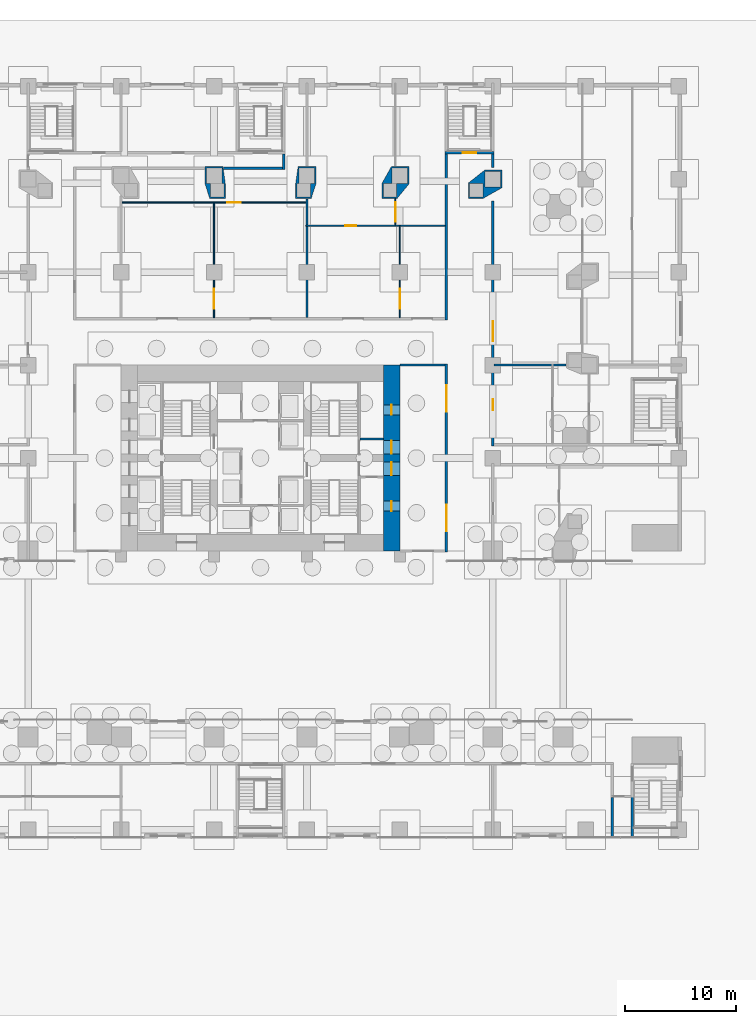
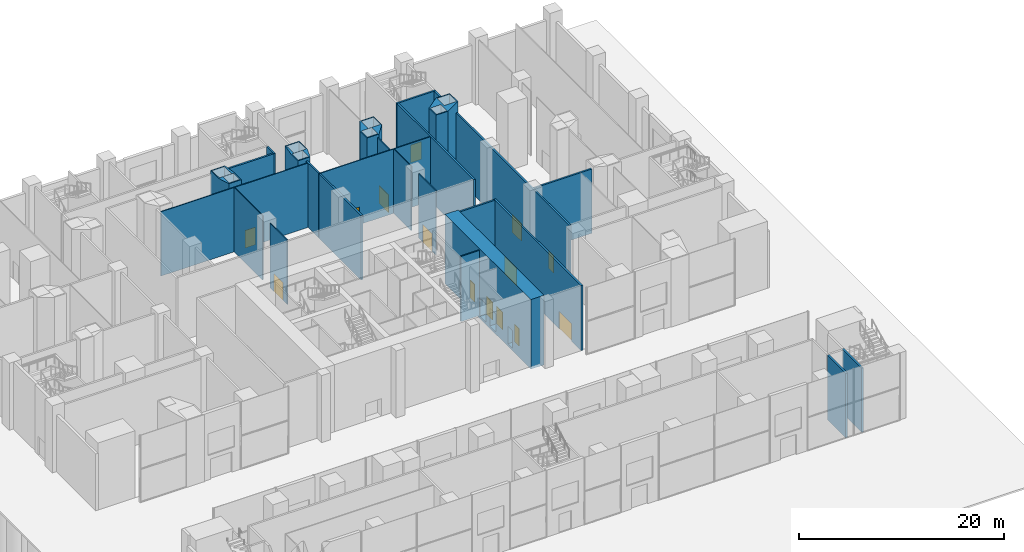
# One storey, part 18 of 31: 25 walls, 14 doors, 14 openings.
"""IFC4 building model written with IfcOpenShell, lengths in metres."""

import ifcopenshell
import ifcopenshell.guid

model = None  # the IFC model being written
_history = None  # IfcOwnerHistory: only IFC2X3 demands one
_inside = {}  # id of a spatial element -> (the spatial element, [elements in it])
_under = {}  # id of a project, library or spatial element -> (it, [spatial elements below it])
_declared = {}  # id of a project -> (the project, [libraries it declares])
_typed = {}  # id of a type object -> (the type object, [elements of that type])
_made_of = {}  # id of a material, layer set ... -> (it, [elements and type objects made of it])


def new_model(schema):
    """Start an empty IFC model of exactly this schema.

    Asked for "IFC4X3", IfcOpenShell would pick the latest addendum, in which some entities
    have other attributes; the version numbers below select the first issue.
    IFC2X3 requires an IfcOwnerHistory on every rooted entity: one is made here for all.
    """
    global model, _history
    if schema == "IFC4X3":
        model = ifcopenshell.file(schema_version=(4, 3, 0, 0))
    else:
        model = ifcopenshell.file(schema=schema)
    _inside.clear()
    _under.clear()
    _declared.clear()
    _typed.clear()
    _made_of.clear()
    _history = None
    if model.schema == "IFC2X3":
        org = make("IfcOrganization", Name="unknown")
        user = make(
            "IfcPersonAndOrganization",
            ThePerson=make("IfcPerson", FamilyName="unknown"),
            TheOrganization=org,
        )
        app = make(
            "IfcApplication",
            ApplicationDeveloper=org,
            Version="unknown",
            ApplicationFullName="unknown",
            ApplicationIdentifier="unknown",
        )
        _history = make(
            "IfcOwnerHistory",
            OwningUser=user,
            OwningApplication=app,
            ChangeAction="ADDED",
            CreationDate=0,
        )
    return model


def make(cls, **values):
    """One entity of the class cls with the attributes given. An attribute that is None is left unset."""
    return model.create_entity(
        cls, **{name: value for name, value in values.items() if value is not None}
    )


def rooted(cls, **values):
    """An entity with a GlobalId (a new one), such as an element, a storey or a relation."""
    return make(cls, GlobalId=ifcopenshell.guid.new(), OwnerHistory=_history, **values)


def si_unit(unit_type, name, prefix=None):
    """IfcSIUnit, for example si_unit("LENGTHUNIT", "METRE", prefix="MILLI")."""
    return make("IfcSIUnit", UnitType=unit_type, Prefix=prefix, Name=name)


def assignment(units):
    """IfcUnitAssignment: the units of a project."""
    return None if units is None else make("IfcUnitAssignment", Units=units)


def point(xyz):
    """IfcCartesianPoint."""
    return None if xyz is None else make("IfcCartesianPoint", Coordinates=xyz)


def direction(xyz):
    """IfcDirection."""
    return None if xyz is None else make("IfcDirection", DirectionRatios=xyz)


def frame(location, z_axis=None, x_axis=None):
    """IfcAxis2Placement3D, a coordinate frame: its origin and axes. An axis left out is left unset."""
    return make(
        "IfcAxis2Placement3D",
        Location=point(location),
        Axis=direction(z_axis),
        RefDirection=direction(x_axis),
    )


def frame_2d(location, x_axis=None):
    """IfcAxis2Placement2D, a coordinate frame in the plane: its origin and x axis."""
    return make(
        "IfcAxis2Placement2D", Location=point(location), RefDirection=direction(x_axis)
    )


def origin():
    """The frame at (0, 0, 0) with its axes left unset."""
    return frame((0.0, 0.0, 0.0))


def place(relative_to, where):
    """IfcLocalPlacement: puts the frame where relative to a parent placement (None: the world)."""
    return make(
        "IfcLocalPlacement", PlacementRelTo=relative_to, RelativePlacement=where
    )


def context(
    kind, dimensions, precision=None, world=None, true_north=None, identifier=None
):
    """IfcGeometricRepresentationContext, for example the 3D "Model" context."""
    return make(
        "IfcGeometricRepresentationContext",
        ContextIdentifier=identifier,
        ContextType=kind,
        CoordinateSpaceDimension=dimensions,
        Precision=precision,
        WorldCoordinateSystem=world,
        TrueNorth=true_north,
    )


def subcontext(parent, identifier, kind, view, scale=None):
    """IfcGeometricRepresentationSubContext, for example "Body" below "Model"."""
    return make(
        "IfcGeometricRepresentationSubContext",
        ContextIdentifier=identifier,
        ContextType=kind,
        ParentContext=parent,
        TargetScale=scale,
        TargetView=view,
    )


def project(units=None, contexts=None):
    """IfcProject with its units and contexts."""
    return rooted(
        "IfcProject",
        Name="project",
        RepresentationContexts=contexts,
        UnitsInContext=assignment(units),
    )


def spatial(cls, under=None, at=None, **own):
    """A site, building, storey or space (cls), placed at a placement, below another one or the project."""
    s = rooted(cls, ObjectPlacement=at, **own)
    if under is not None:
        _under.setdefault(under.id(), (under, []))[1].append(s)
    return s


def polyline(points):
    """IfcPolyline through the points."""
    return make("IfcPolyline", Points=[point(p) for p in points])


def profile(cls, at=None, kind="AREA", **sizes):
    """A parametric profile (cls). Its sizes go by their IFC names, for example OverallWidth=200.0."""
    return make(cls, ProfileType=kind, Position=at, **sizes)


def rectangle(**sizes):
    """IfcRectangleProfileDef."""
    return profile("IfcRectangleProfileDef", **sizes)


def outline(outer, holes=None, kind="AREA"):
    """IfcArbitraryClosedProfileDef: a profile drawn as a closed curve; with holes, ...WithVoids."""
    if holes is None:
        return make("IfcArbitraryClosedProfileDef", ProfileType=kind, OuterCurve=outer)
    return make(
        "IfcArbitraryProfileDefWithVoids",
        ProfileType=kind,
        OuterCurve=outer,
        InnerCurves=holes,
    )


def extrude(swept, where, along, depth):
    """IfcExtrudedAreaSolid: the profile swept, set in the frame where, extruded along a direction by depth."""
    return make(
        "IfcExtrudedAreaSolid",
        SweptArea=swept,
        Position=where,
        ExtrudedDirection=direction(along),
        Depth=depth,
    )


def shape(context_of_items, identifier, shape_type, items):
    """IfcShapeRepresentation: the items that make up one representation, for example the "Body"."""
    return make(
        "IfcShapeRepresentation",
        ContextOfItems=context_of_items,
        RepresentationIdentifier=identifier,
        RepresentationType=shape_type,
        Items=items,
    )


def material(Name=None, Category=None):
    """IfcMaterial."""
    return make("IfcMaterial", Name=Name, Category=Category)


def layer(
    of_material, thickness, ventilated=None, Name=None, Category=None, Priority=None
):
    """IfcMaterialLayer: one layer of a wall or slab, of a material (None: an air gap)."""
    return make(
        "IfcMaterialLayer",
        Material=of_material,
        LayerThickness=thickness,
        IsVentilated=ventilated,
        Name=Name,
        Category=Category,
        Priority=Priority,
    )


def layer_set(layers, Name=None):
    """IfcMaterialLayerSet."""
    return make("IfcMaterialLayerSet", MaterialLayers=layers, LayerSetName=Name)


def made_of(thing, what):
    """Note that an element or type object is made of a material, layer set ...; save() writes the relation."""
    if what is not None:
        _made_of.setdefault(what.id(), (what, []))[1].append(thing)
    return thing


def type_object(cls, material=None, **own):
    """A type object (cls), such as IfcWallType, which elements share."""
    return made_of(rooted(cls, **own), material)


def element(
    cls,
    number,
    at=None,
    inside=None,
    cuts=None,
    type_object=None,
    material=None,
    context=None,
    identifier="Body",
    shape_type=None,
    held_by="IfcProductDefinitionShape",
    body=None,
    shapes=None,
    **own,
):
    """One element of the class cls, such as IfcWall. Its Tag is "e" and its number.

    at: its placement. inside: the storey or other place that contains it. cuts: it is an
    opening in that element (IfcRelVoidsElement). A single representation is given by context,
    identifier, shape_type and body (its items); several are given by shapes. held_by: the class
    of the entity that holds the representations. save() writes the other relations.
    """
    e = rooted(cls, Tag="e%d" % number, ObjectPlacement=at, **own)
    if body is not None:
        shapes = [shape(context, identifier, shape_type, body)]
    if shapes is not None:
        e.Representation = make(held_by, Representations=shapes)
    if inside is not None:
        _inside.setdefault(inside.id(), (inside, []))[1].append(e)
    if cuts is not None:
        rooted(
            "IfcRelVoidsElement", RelatingBuildingElement=cuts, RelatedOpeningElement=e
        )
    if type_object is not None:
        _typed.setdefault(type_object.id(), (type_object, []))[1].append(e)
    return made_of(e, material)


def fill(opening, filler):
    """IfcRelFillsElement: the door or window that sits in an opening."""
    return rooted(
        "IfcRelFillsElement",
        RelatingOpeningElement=opening,
        RelatedBuildingElement=filler,
    )


def aggregate(whole, parts):
    """IfcRelAggregates: a whole, such as a stair, and the parts it consists of."""
    return rooted("IfcRelAggregates", RelatingObject=whole, RelatedObjects=parts)


def save(model, path):
    """Write the relations noted so far, then the file.

    IfcRelAggregates (storeys below a building ...), IfcRelContainedInSpatialStructure (elements
    in a storey), IfcRelDefinesByType, IfcRelAssociatesMaterial and IfcRelDeclares: one each for
    every whole, place, type object, material and project.
    """
    for whole, parts in _under.values():
        aggregate(whole, parts)
    for where, things in _inside.values():
        rooted(
            "IfcRelContainedInSpatialStructure",
            RelatedElements=things,
            RelatingStructure=where,
        )
    for kind, things in _typed.values():
        rooted("IfcRelDefinesByType", RelatedObjects=things, RelatingType=kind)
    for what, things in _made_of.values():
        rooted("IfcRelAssociatesMaterial", RelatedObjects=things, RelatingMaterial=what)
    for by, libraries in _declared.values():
        rooted("IfcRelDeclares", RelatingContext=by, RelatedDefinitions=libraries)
    model.write(path)


model = new_model("IFC4")

# Units and contexts
model_context = context("Model", 3, precision=1e-05, world=origin(), true_north=direction((0.0, 1.0)))
body_context = subcontext(model_context, "Body", "Model", "MODEL_VIEW")
ifc_project = project(units=[si_unit("LENGTHUNIT", "METRE"), si_unit("AREAUNIT", "SQUARE_METRE"), si_unit("VOLUMEUNIT", "CUBIC_METRE"), si_unit("PLANEANGLEUNIT", "RADIAN"), si_unit("MASSUNIT", "GRAM", prefix="KILO")], contexts=[model_context])

# Site, building, storey
site_placement = place(None, origin())
site = spatial("IfcSite", under=ifc_project, at=site_placement, CompositionType="ELEMENT")
building_placement = place(site_placement, origin())
building = spatial("IfcBuilding", under=site, at=building_placement, Name="Marenta Gate Hotel Tower", CompositionType="ELEMENT")
storey_placement = place(building_placement, origin())
storey = spatial("IfcBuildingStorey", under=building, at=storey_placement, Name="L00", CompositionType="ELEMENT", Elevation=0.0)

# Wall, openings, doors
ifc_material_1 = material(Name="Concrete blockwork", Category="masonry")
ifc_layer_1 = layer(ifc_material_1, 0.199951171875)
ifc_layer_set_1 = layer_set([ifc_layer_1], Name="Concrete blockwork")
wall_type_1 = type_object("IfcWallType", Name="Core boundary wall 200 REI 180", PredefinedType="PARTITIONING", material=ifc_layer_set_1)
wall_1_placement = place(storey_placement, frame((16.800048828125, -0.10009765625, 0.0), z_axis=(0.0, 0.0, 1.0), x_axis=(0.0, 1.0, 0.0)))
wall_1 = element("IfcWall", 1, at=wall_1_placement, inside=storey, type_object=wall_type_1, Name="L00-CP-BW-E", PredefinedType="PARTITIONING", context=body_context, shape_type="SweptSolid", body=[
    extrude(rectangle(XDim=17.0, YDim=0.199951171875, at=frame_2d((8.5, 0.0))), origin(), (0.0, 0.0, 1.0), 7.780029296875),
])
opening_1_placement = place(wall_1_placement, frame((1.89990234375, 0.0, 0.0)))
opening_1 = element("IfcOpeningElement", 2, at=opening_1_placement, cuts=wall_1, Name="Opening ED-Ea-A", PredefinedType="OPENING", context=body_context, shape_type="SweptSolid", body=[
    extrude(rectangle(XDim=2.39990234375, YDim=2.10009765625, at=frame_2d((1.199951171875, 1.050048828125))), frame((0.0, 0.10009765625, 0.0), z_axis=(0.0, -1.0, 0.0), x_axis=(1.0, 0.0, 0.0)), (0.0, 0.0, 1.0), 0.199951171875),
])
opening_2_placement = place(wall_1_placement, frame((12.699951171875, 0.0, 0.0)))
opening_2 = element("IfcOpeningElement", 3, at=opening_2_placement, cuts=wall_1, Name="Opening ED-Eb-A", PredefinedType="OPENING", context=body_context, shape_type="SweptSolid", body=[
    extrude(rectangle(XDim=2.39990234375, YDim=2.10009765625, at=frame_2d((1.199951171875, 1.050048828125))), frame((0.0, 0.10009765625, 0.0), z_axis=(0.0, -1.0, 0.0), x_axis=(1.0, 0.0, 0.0)), (0.0, 0.0, 1.0), 0.199951171875),
])
ifc_material_2 = material(Name="Steel", Category="steel")
door_type_1 = type_object("IfcDoorType", Name="Core lobby entrance door 2400x2100 EI 60", OperationType="DOUBLE_DOOR_SINGLE_SWING", PredefinedType="DOOR", material=ifc_material_2)
door_1_placement = place(opening_1_placement, origin())
door_1 = element("IfcDoor", 4, at=door_1_placement, inside=storey, type_object=door_type_1, Name="ED-Ea-A", OperationType="DOUBLE_DOOR_SINGLE_SWING", OverallHeight=2.10009765625, OverallWidth=2.39990234375, PredefinedType="DOOR", context=body_context, shape_type="SweptSolid", body=[
    extrude(rectangle(XDim=2.39990234375, YDim=2.10009765625, at=frame_2d((1.199951171875, 1.050048828125))), frame((0.0, 0.02490234375, 0.0), z_axis=(0.0, -1.0, 0.0), x_axis=(1.0, 0.0, 0.0)), (0.0, 0.0, 1.0), 0.050048828125),
])
fill(opening_1, door_1)
door_2_placement = place(opening_2_placement, origin())
door_2 = element("IfcDoor", 5, at=door_2_placement, inside=storey, type_object=door_type_1, Name="ED-Eb-A", OperationType="DOUBLE_DOOR_SINGLE_SWING", OverallHeight=2.10009765625, OverallWidth=2.39990234375, PredefinedType="DOOR", context=body_context, shape_type="SweptSolid", body=[
    extrude(rectangle(XDim=2.39990234375, YDim=2.10009765625, at=frame_2d((1.199951171875, 1.050048828125))), frame((0.0, 0.02490234375, 0.0), z_axis=(0.0, -1.0, 0.0), x_axis=(1.0, 0.0, 0.0)), (0.0, 0.0, 1.0), 0.050048828125),
])
fill(opening_2, door_2)

# Walls
wall_2_placement = place(storey_placement, frame((12.60009765625, 16.800048828125, 0.0), z_axis=(0.0, 0.0, 1.0), x_axis=(1.0, 0.0, 0.0)))
element("IfcWall", 6, at=wall_2_placement, inside=storey, type_object=wall_type_1, Name="L00-CP-EW-EN", PredefinedType="PARTITIONING", context=body_context, shape_type="SweptSolid", body=[
    extrude(rectangle(XDim=4.099853515625, YDim=0.199951171875, at=frame_2d((2.0498046875, 0.0))), origin(), (0.0, 0.0, 1.0), 7.780029296875),
])
ifc_material_3 = material(Name="Concrete blockwork", Category="masonry")
ifc_layer_2 = layer(ifc_material_3, 0.14990234375)
ifc_layer_set_2 = layer_set([ifc_layer_2], Name="Concrete blockwork")
wall_type_2 = type_object("IfcWallType", Name="Core room partition 150 REI 180", PredefinedType="PARTITIONING", material=ifc_layer_set_2)
wall_3_placement = place(storey_placement, frame((9.0, 10.125, 0.0), z_axis=(0.0, 0.0, 1.0), x_axis=(1.0, 0.0, 0.0)))
element("IfcWall", 7, at=wall_3_placement, inside=storey, type_object=wall_type_2, Name="L00-CP-SW-EN-2", PredefinedType="PARTITIONING", context=body_context, shape_type="SweptSolid", body=[
    extrude(rectangle(XDim=2.10009765625, YDim=0.14990234375, at=frame_2d((1.050048828125, 0.0))), origin(), (0.0, 0.0, 1.0), 7.780029296875),
])

# Wall, openings, doors
ifc_material_4 = material(Name="Concrete C80", Category="concrete")
ifc_layer_3 = layer(ifc_material_4, 1.5)
ifc_layer_set_3 = layer_set([ifc_layer_3], Name="Concrete C80")
wall_type_3 = type_object("IfcWallType", Name="Core wall 1500 C80", PredefinedType="SHEAR", material=ifc_layer_set_3)
wall_4_placement = place(storey_placement, frame((11.85009765625, 0.0, -0.300048828125), z_axis=(0.0, 0.0, 1.0), x_axis=(0.0, 1.0, 0.0)))
wall_4 = element("IfcWall", 8, at=wall_4_placement, inside=storey, type_object=wall_type_3, Name="L00-CORE-E", PredefinedType="SHEAR", context=body_context, shape_type="SweptSolid", body=[
    extrude(rectangle(XDim=16.800048828125, YDim=1.5, at=frame_2d((8.39990234375, 0.0))), origin(), (0.0, 0.0, 1.0), 8.300048828125),
])
opening_3_placement = place(wall_4_placement, frame((3.60009765625, 0.0, 0.300048828125)))
opening_3 = element("IfcOpeningElement", 9, at=opening_3_placement, cuts=wall_4, Name="Opening RD-ES-1", PredefinedType="OPENING", context=body_context, shape_type="SweptSolid", body=[
    extrude(rectangle(XDim=0.89990234375, YDim=2.10009765625, at=frame_2d((0.449951171875, 1.050048828125))), frame((0.0, 0.75, 0.0), z_axis=(0.0, -1.0, 0.0), x_axis=(1.0, 0.0, 0.0)), (0.0, 0.0, 1.0), 1.5),
])
opening_4_placement = place(wall_4_placement, frame((6.824951171875, 0.0, 0.300048828125)))
opening_4 = element("IfcOpeningElement", 10, at=opening_4_placement, cuts=wall_4, Name="Opening PD-ES", PredefinedType="OPENING", context=body_context, shape_type="SweptSolid", body=[
    extrude(rectangle(XDim=1.199951171875, YDim=2.10009765625, at=frame_2d((0.60009765625, 1.050048828125))), frame((0.0, 0.75, 0.0), z_axis=(0.0, -1.0, 0.0), x_axis=(1.0, 0.0, 0.0)), (0.0, 0.0, 1.0), 1.5),
])
opening_5_placement = place(wall_4_placement, frame((12.300048828125, 0.0, 0.300048828125)))
opening_5 = element("IfcOpeningElement", 11, at=opening_5_placement, cuts=wall_4, Name="Opening RD-EN-1", PredefinedType="OPENING", context=body_context, shape_type="SweptSolid", body=[
    extrude(rectangle(XDim=0.89990234375, YDim=2.10009765625, at=frame_2d((0.449951171875, 1.050048828125))), frame((0.0, 0.75, 0.0), z_axis=(0.0, -1.0, 0.0), x_axis=(1.0, 0.0, 0.0)), (0.0, 0.0, 1.0), 1.5),
])
opening_6_placement = place(wall_4_placement, frame((8.77490234375, 0.0, 0.300048828125)))
opening_6 = element("IfcOpeningElement", 12, at=opening_6_placement, cuts=wall_4, Name="Opening PD-EN", PredefinedType="OPENING", context=body_context, shape_type="SweptSolid", body=[
    extrude(rectangle(XDim=1.199951171875, YDim=2.10009765625, at=frame_2d((0.60009765625, 1.050048828125))), frame((0.0, 0.75, 0.0), z_axis=(0.0, -1.0, 0.0), x_axis=(1.0, 0.0, 0.0)), (0.0, 0.0, 1.0), 1.5),
])
ifc_material_5 = material(Name="Steel", Category="steel")
door_type_2 = type_object("IfcDoorType", Name="Core lobby door 1200x2100 FD60", OperationType="SINGLE_SWING_LEFT", PredefinedType="DOOR", material=ifc_material_5)
door_3_placement = place(opening_4_placement, origin())
door_3 = element("IfcDoor", 13, at=door_3_placement, inside=storey, type_object=door_type_2, Name="PD-ES", OperationType="SINGLE_SWING_LEFT", OverallHeight=2.10009765625, OverallWidth=1.199951171875, PredefinedType="DOOR", context=body_context, shape_type="SweptSolid", body=[
    extrude(rectangle(XDim=1.199951171875, YDim=2.10009765625, at=frame_2d((0.60009765625, 1.050048828125))), frame((0.0, 0.02490234375, 0.0), z_axis=(0.0, -1.0, 0.0), x_axis=(1.0, 0.0, 0.0)), (0.0, 0.0, 1.0), 0.050048828125),
])
fill(opening_4, door_3)
door_4_placement = place(opening_6_placement, origin())
door_4 = element("IfcDoor", 14, at=door_4_placement, inside=storey, type_object=door_type_2, Name="PD-EN", OperationType="SINGLE_SWING_LEFT", OverallHeight=2.10009765625, OverallWidth=1.199951171875, PredefinedType="DOOR", context=body_context, shape_type="SweptSolid", body=[
    extrude(rectangle(XDim=1.199951171875, YDim=2.10009765625, at=frame_2d((0.60009765625, 1.050048828125))), frame((0.0, 0.02490234375, 0.0), z_axis=(0.0, -1.0, 0.0), x_axis=(1.0, 0.0, 0.0)), (0.0, 0.0, 1.0), 0.050048828125),
])
fill(opening_6, door_4)
ifc_material_6 = material(Name="Steel", Category="steel")
door_type_3 = type_object("IfcDoorType", Name="Core service room door 900x2100 FD30S", OperationType="SINGLE_SWING_LEFT", PredefinedType="DOOR", material=ifc_material_6)
door_5_placement = place(opening_3_placement, origin())
door_5 = element("IfcDoor", 15, at=door_5_placement, inside=storey, type_object=door_type_3, Name="RD-ES-1", OperationType="SINGLE_SWING_LEFT", OverallHeight=2.10009765625, OverallWidth=0.89990234375, PredefinedType="DOOR", context=body_context, shape_type="SweptSolid", body=[
    extrude(rectangle(XDim=0.89990234375, YDim=2.10009765625, at=frame_2d((0.449951171875, 1.050048828125))), frame((0.0, 0.02490234375, 0.0), z_axis=(0.0, -1.0, 0.0), x_axis=(1.0, 0.0, 0.0)), (0.0, 0.0, 1.0), 0.050048828125),
])
fill(opening_3, door_5)
door_6_placement = place(opening_5_placement, origin())
door_6 = element("IfcDoor", 16, at=door_6_placement, inside=storey, type_object=door_type_3, Name="RD-EN-1", OperationType="SINGLE_SWING_LEFT", OverallHeight=2.10009765625, OverallWidth=0.89990234375, PredefinedType="DOOR", context=body_context, shape_type="SweptSolid", body=[
    extrude(rectangle(XDim=0.89990234375, YDim=2.10009765625, at=frame_2d((0.449951171875, 1.050048828125))), frame((0.0, 0.02490234375, 0.0), z_axis=(0.0, -1.0, 0.0), x_axis=(1.0, 0.0, 0.0)), (0.0, 0.0, 1.0), 0.050048828125),
])
fill(opening_5, door_6)

# Walls
ifc_material_7 = material(Name="Concrete C70", Category="concrete")
ifc_layer_4 = layer(ifc_material_7, 1.60009765625)
ifc_layer_set_4 = layer_set([ifc_layer_4], Name="Concrete C70")
wall_type_4 = type_object("IfcWallType", Name="Pier wall board-marked concrete C70", PredefinedType="SOLIDWALL", material=ifc_layer_set_4)
wall_5_placement = place(storey_placement, origin())
element("IfcWall", 17, at=wall_5_placement, inside=storey, type_object=wall_type_4, Name="L00-PIER-6", PredefinedType="SOLIDWALL", context=body_context, shape_type="SweptSolid", body=[
    extrude(outline(polyline([(-5.02001953125, 34.739990234375), (-3.3955078125, 34.739990234375), (-3.181396484375, 33.208251953125), (-3.181396484375, 31.8798828125), (-4.58837890625, 31.8798828125), (-5.02001953125, 33.200927734375), (-5.02001953125, 34.739990234375)]), holes=[polyline([(-3.301513671875, 32.0), (-3.301513671875, 33.199951171875), (-4.50146484375, 33.199951171875), (-4.50146484375, 32.0), (-3.301513671875, 32.0)]), polyline([(-3.5, 33.219970703125), (-3.5, 34.6201171875), (-4.89990234375, 34.6201171875), (-4.89990234375, 33.219970703125), (-3.5, 33.219970703125)])]), origin(), (0.0, 0.0, 1.0), 8.0),
])
wall_6_placement = place(storey_placement, origin())
element("IfcWall", 18, at=wall_6_placement, inside=storey, type_object=wall_type_4, Name="L00-PIER-7", PredefinedType="SOLIDWALL", context=body_context, shape_type="SweptSolid", body=[
    extrude(outline(polyline([(3.181396484375, 33.208251953125), (3.3955078125, 34.739990234375), (5.02001953125, 34.739990234375), (5.02001953125, 33.200927734375), (4.58837890625, 31.8798828125), (3.181396484375, 31.8798828125), (3.181396484375, 33.208251953125)]), holes=[polyline([(3.5, 33.219970703125), (4.89990234375, 33.219970703125), (4.89990234375, 34.6201171875), (3.5, 34.6201171875), (3.5, 33.219970703125)]), polyline([(3.301513671875, 32.0), (4.50146484375, 32.0), (4.50146484375, 33.199951171875), (3.301513671875, 33.199951171875), (3.301513671875, 32.0)])]), origin(), (0.0, 0.0, 1.0), 8.0),
])
wall_7_placement = place(storey_placement, origin())
element("IfcWall", 19, at=wall_7_placement, inside=storey, type_object=wall_type_4, Name="L00-PIER-8", PredefinedType="SOLIDWALL", context=body_context, shape_type="SweptSolid", body=[
    extrude(outline(polyline([(11.82958984375, 34.739990234375), (13.419921875, 34.739990234375), (13.419921875, 33.17724609375), (12.361083984375, 31.8798828125), (10.984130859375, 31.8798828125), (10.984130859375, 33.2314453125), (11.82958984375, 34.739990234375)]), holes=[polyline([(13.300048828125, 33.219970703125), (13.300048828125, 34.6201171875), (11.89990234375, 34.6201171875), (11.89990234375, 33.219970703125), (13.300048828125, 33.219970703125)]), polyline([(12.30419921875, 32.0), (12.30419921875, 33.199951171875), (11.10400390625, 33.199951171875), (11.10400390625, 32.0), (12.30419921875, 32.0)])]), origin(), (0.0, 0.0, 1.0), 8.0),
])
wall_8_placement = place(storey_placement, origin())
element("IfcWall", 20, at=wall_8_placement, inside=storey, type_object=wall_type_4, Name="L00-PIER-9", PredefinedType="SOLIDWALL", context=body_context, shape_type="SweptSolid", body=[
    extrude(outline(polyline([(20.25830078125, 34.419921875), (21.820068359375, 34.419921875), (21.820068359375, 32.830078125), (20.138427734375, 31.8798828125), (18.786865234375, 31.8798828125), (18.786865234375, 33.258056640625), (20.25830078125, 34.419921875)]), holes=[polyline([(21.699951171875, 32.89990234375), (21.699951171875, 34.300048828125), (20.300048828125, 34.300048828125), (20.300048828125, 32.89990234375), (21.699951171875, 32.89990234375)]), polyline([(20.10693359375, 32.0), (20.10693359375, 33.199951171875), (18.906982421875, 33.199951171875), (18.906982421875, 32.0), (20.10693359375, 32.0)])]), origin(), (0.0, 0.0, 1.0), 8.0),
])
ifc_material_8 = material(Name="Concrete blockwork", Category="masonry")
ifc_layer_5 = layer(ifc_material_8, 0.199951171875)
ifc_layer_set_5 = layer_set([ifc_layer_5], Name="Concrete blockwork")
wall_type_5 = type_object("IfcWallType", Name="Room corridor wall 200 EI 120", PredefinedType="PARTITIONING", material=ifc_layer_set_5)
wall_9_placement = place(storey_placement, frame((16.800048828125, 20.89990234375, 0.0), z_axis=(0.0, 0.0, 1.0), x_axis=(0.0, 1.0, 0.0)))
element("IfcWall", 21, at=wall_9_placement, inside=storey, type_object=wall_type_5, Name="L00-PTN-W025", PredefinedType="PARTITIONING", context=body_context, shape_type="SweptSolid", body=[
    extrude(rectangle(XDim=15.0, YDim=0.199951171875, at=frame_2d((7.5, 0.0))), origin(), (0.0, 0.0, 1.0), 7.679931640625),
])

# Wall, openings, doors
ifc_material_9 = material(Name="Gypsum board on steel stud", Category="steel")
ifc_layer_6 = layer(ifc_material_9, 0.199951171875)
ifc_layer_set_6 = layer_set([ifc_layer_6], Name="Gypsum board on steel stud")
wall_type_6 = type_object("IfcWallType", Name="Room corridor wall 200 EI 60", PredefinedType="PARTITIONING", material=ifc_layer_set_6)
wall_10_placement = place(storey_placement, frame((21.0, 9.5, 0.0), z_axis=(0.0, 0.0, 1.0), x_axis=(0.0, 1.0, 0.0)))
wall_10 = element("IfcWall", 22, at=wall_10_placement, inside=storey, type_object=wall_type_6, Name="L00-PTN-W019", PredefinedType="PARTITIONING", context=body_context, shape_type="SweptSolid", body=[
    extrude(rectangle(XDim=22.135009765625, YDim=0.199951171875, at=frame_2d((11.0673828125, 0.0))), origin(), (0.0, 0.0, 1.0), 7.679931640625),
])
opening_7_placement = place(wall_10_placement, frame((3.199951171875, 0.0, 0.0)))
opening_7 = element("IfcOpeningElement", 23, at=opening_7_placement, cuts=wall_10, Name="Opening S01-12", PredefinedType="OPENING", context=body_context, shape_type="SweptSolid", body=[
    extrude(rectangle(XDim=1.0, YDim=2.10009765625, at=frame_2d((0.5, 1.050048828125))), frame((0.0, 0.10009765625, 0.0), z_axis=(0.0, -1.0, 0.0), x_axis=(1.0, 0.0, 0.0)), (0.0, 0.0, 1.0), 0.199951171875),
])
opening_8_placement = place(wall_10_placement, frame((9.467041015625, 0.0, 0.0)))
opening_8 = element("IfcOpeningElement", 24, at=opening_8_placement, cuts=wall_10, Name="Opening S01-15", PredefinedType="OPENING", context=body_context, shape_type="SweptSolid", body=[
    extrude(rectangle(XDim=1.800048828125, YDim=2.10009765625, at=frame_2d((0.89990234375, 1.050048828125))), frame((0.0, 0.10009765625, 0.0), z_axis=(0.0, -1.0, 0.0), x_axis=(1.0, 0.0, 0.0)), (0.0, 0.0, 1.0), 0.199951171875),
])
ifc_material_10 = material(Name="Timber door leaf", Category="wood")
door_type_4 = type_object("IfcDoorType", Name="Room amenity door 1800x2100 EI 30", OperationType="DOUBLE_DOOR_SINGLE_SWING", PredefinedType="DOOR", material=ifc_material_10)
door_7_placement = place(opening_8_placement, origin())
door_7 = element("IfcDoor", 25, at=door_7_placement, inside=storey, type_object=door_type_4, Name="L00-PD-D015", OperationType="DOUBLE_DOOR_SINGLE_SWING", OverallHeight=2.10009765625, OverallWidth=1.800048828125, PredefinedType="DOOR", context=body_context, shape_type="SweptSolid", body=[
    extrude(rectangle(XDim=1.800048828125, YDim=2.10009765625, at=frame_2d((0.89990234375, 1.050048828125))), frame((0.0, 0.02490234375, 0.0), z_axis=(0.0, -1.0, 0.0), x_axis=(1.0, 0.0, 0.0)), (0.0, 0.0, 1.0), 0.050048828125),
])
fill(opening_8, door_7)
ifc_material_11 = material(Name="Timber door leaf", Category="wood")
door_type_5 = type_object("IfcDoorType", Name="Toilet room door 1000x2100 EI 30", OperationType="NOTDEFINED", PredefinedType="DOOR", material=ifc_material_11)
door_8_placement = place(opening_7_placement, origin())
door_8 = element("IfcDoor", 26, at=door_8_placement, inside=storey, type_object=door_type_5, Name="L00-PD-D012", OperationType="SINGLE_SWING_LEFT", OverallHeight=2.10009765625, OverallWidth=1.0, PredefinedType="DOOR", context=body_context, shape_type="SweptSolid", body=[
    extrude(rectangle(XDim=1.0, YDim=2.10009765625, at=frame_2d((0.5, 1.050048828125))), frame((0.0, 0.02490234375, 0.0), z_axis=(0.0, -1.0, 0.0), x_axis=(1.0, 0.0, 0.0)), (0.0, 0.0, 1.0), 0.050048828125),
])
fill(opening_7, door_8)

# Walls
wall_11_placement = place(storey_placement, frame((21.0, 34.66796875, 0.0), z_axis=(0.0, 0.0, 1.0), x_axis=(0.0, 1.0, 0.0)))
element("IfcWall", 27, at=wall_11_placement, inside=storey, type_object=wall_type_6, Name="L00-PTN-W020", PredefinedType="PARTITIONING", context=body_context, shape_type="SweptSolid", body=[
    extrude(rectangle(XDim=1.23193359375, YDim=0.199951171875, at=frame_2d((0.615966796875, 0.0))), origin(), (0.0, 0.0, 1.0), 7.679931640625),
])
ifc_material_12 = material(Name="Concrete blockwork", Category="masonry")
ifc_layer_7 = layer(ifc_material_12, 0.199951171875)
ifc_layer_set_7 = layer_set([ifc_layer_7], Name="Concrete blockwork")
wall_type_7 = type_object("IfcWallType", Name="Room corridor wall 200 REI 180", PredefinedType="PARTITIONING", material=ifc_layer_set_7)
wall_12_placement = place(storey_placement, frame((2.10009765625, 34.5, 0.0), z_axis=(0.0, 0.0, 1.0), x_axis=(0.0, 1.0, 0.0)))
element("IfcWall", 28, at=wall_12_placement, inside=storey, type_object=wall_type_7, Name="L00-PTN-W035", PredefinedType="PARTITIONING", context=body_context, shape_type="SweptSolid", body=[
    extrude(rectangle(XDim=1.39990234375, YDim=0.199951171875, at=frame_2d((0.699951171875, 0.0))), origin(), (0.0, 0.0, 1.0), 7.679931640625),
])
wall_13_placement = place(storey_placement, frame((-3.325927734375, 34.60009765625, 0.0), z_axis=(0.0, 0.0, 1.0), x_axis=(1.0, 0.0, 0.0)))
element("IfcWall", 29, at=wall_13_placement, inside=storey, type_object=wall_type_7, Name="L00-PTN-W076", PredefinedType="PARTITIONING", context=body_context, shape_type="SweptSolid", body=[
    extrude(rectangle(XDim=5.325927734375, YDim=0.199951171875, at=frame_2d((2.6630859375, 0.0))), origin(), (0.0, 0.0, 1.0), 7.679931640625),
])

# Wall, opening, door
wall_14_placement = place(storey_placement, frame((16.699951171875, 36.0, 0.0), z_axis=(0.0, 0.0, 1.0), x_axis=(1.0, 0.0, 0.0)))
wall_14 = element("IfcWall", 30, at=wall_14_placement, inside=storey, type_object=wall_type_7, Name="L00-PTN-W078", PredefinedType="PARTITIONING", context=body_context, shape_type="SweptSolid", body=[
    extrude(rectangle(XDim=4.400146484375, YDim=0.199951171875, at=frame_2d((2.2001953125, 0.0))), origin(), (0.0, 0.0, 1.0), 7.679931640625),
])
opening_9_placement = place(wall_14_placement, frame((1.60009765625, 0.0, 0.0)))
opening_9 = element("IfcOpeningElement", 31, at=opening_9_placement, cuts=wall_14, Name="Opening S01-02", PredefinedType="OPENING", context=body_context, shape_type="SweptSolid", body=[
    extrude(rectangle(XDim=1.199951171875, YDim=2.10009765625, at=frame_2d((0.60009765625, 1.050048828125))), frame((0.0, 0.10009765625, 0.0), z_axis=(0.0, -1.0, 0.0), x_axis=(1.0, 0.0, 0.0)), (0.0, 0.0, 1.0), 0.199951171875),
])
ifc_material_13 = material(Name="Hollow steel door set", Category="steel")
door_type_6 = type_object("IfcDoorType", Name="Podium stair door 1200x2100 EI 60", OperationType="NOTDEFINED", PredefinedType="DOOR", material=ifc_material_13)
door_9_placement = place(opening_9_placement, origin())
door_9 = element("IfcDoor", 32, at=door_9_placement, inside=storey, type_object=door_type_6, Name="L00-PD-D002", OperationType="SINGLE_SWING_LEFT", OverallHeight=2.10009765625, OverallWidth=1.199951171875, PredefinedType="DOOR", context=body_context, shape_type="SweptSolid", body=[
    extrude(rectangle(XDim=1.199951171875, YDim=2.10009765625, at=frame_2d((0.60009765625, 1.050048828125))), frame((0.0, 0.02490234375, 0.0), z_axis=(0.0, -1.0, 0.0), x_axis=(1.0, 0.0, 0.0)), (0.0, 0.0, 1.0), 0.050048828125),
])
fill(opening_9, door_9)

ifc_material_14 = material(Name="Gypsum board on steel stud", Category="steel")
ifc_layer_8 = layer(ifc_material_14, 0.10009765625)
ifc_layer_set_8 = layer_set([ifc_layer_8], Name="Gypsum board on steel stud")
wall_type_8 = type_object("IfcWallType", Name="Room partition 100", PredefinedType="PARTITIONING", material=ifc_layer_set_8)
wall_15_placement = place(storey_placement, frame((12.60009765625, 21.10009765625, 0.0), z_axis=(0.0, 0.0, 1.0), x_axis=(0.0, 1.0, 0.0)))
wall_15 = element("IfcWall", 33, at=wall_15_placement, inside=storey, type_object=wall_type_8, Name="L00-PTN-W027", PredefinedType="PARTITIONING", context=body_context, shape_type="SweptSolid", body=[
    extrude(rectangle(XDim=3.3798828125, YDim=0.10009765625, at=frame_2d((1.68994140625, 0.0))), origin(), (0.0, 0.0, 1.0), 7.679931640625),
])
opening_10_placement = place(wall_15_placement, frame((0.7900390625, 0.0, 0.0)))
opening_10 = element("IfcOpeningElement", 34, at=opening_10_placement, cuts=wall_15, Name="Opening S01-44", PredefinedType="OPENING", context=body_context, shape_type="SweptSolid", body=[
    extrude(rectangle(XDim=1.800048828125, YDim=2.10009765625, at=frame_2d((0.89990234375, 1.050048828125))), frame((0.0, 0.050048828125, 0.0), z_axis=(0.0, -1.0, 0.0), x_axis=(1.0, 0.0, 0.0)), (0.0, 0.0, 1.0), 0.10009765625),
])
ifc_material_15 = material(Name="Timber door leaf", Category="wood")
door_type_7 = type_object("IfcDoorType", Name="Room amenity door 1800x2100", OperationType="DOUBLE_DOOR_SINGLE_SWING", PredefinedType="DOOR", material=ifc_material_15)
door_10_placement = place(opening_10_placement, origin())
door_10 = element("IfcDoor", 35, at=door_10_placement, inside=storey, type_object=door_type_7, Name="L00-PD-D044", OperationType="DOUBLE_DOOR_SINGLE_SWING", OverallHeight=2.10009765625, OverallWidth=1.800048828125, PredefinedType="DOOR", context=body_context, shape_type="SweptSolid", body=[
    extrude(rectangle(XDim=1.800048828125, YDim=2.10009765625, at=frame_2d((0.89990234375, 1.050048828125))), frame((0.0, 0.02490234375, 0.0), z_axis=(0.0, -1.0, 0.0), x_axis=(1.0, 0.0, 0.0)), (0.0, 0.0, 1.0), 0.050048828125),
])
fill(opening_10, door_10)

# Wall
wall_16_placement = place(storey_placement, frame((12.60009765625, 25.919921875, 0.0), z_axis=(0.0, 0.0, 1.0), x_axis=(0.0, 1.0, 0.0)))
element("IfcWall", 36, at=wall_16_placement, inside=storey, type_object=wall_type_8, Name="L00-PTN-W028", PredefinedType="PARTITIONING", context=body_context, shape_type="SweptSolid", body=[
    extrude(rectangle(XDim=3.530029296875, YDim=0.10009765625, at=frame_2d((1.76513671875, 0.0))), origin(), (0.0, 0.0, 1.0), 7.679931640625),
])

# Wall, opening, door
wall_17_placement = place(storey_placement, frame((12.199951171875, 29.449951171875, 0.0), z_axis=(0.0, 0.0, 1.0), x_axis=(0.0, 1.0, 0.0)))
wall_17 = element("IfcWall", 37, at=wall_17_placement, inside=storey, type_object=wall_type_8, Name="L00-PTN-W029", PredefinedType="PARTITIONING", context=body_context, shape_type="SweptSolid", body=[
    extrude(rectangle(XDim=2.380126953125, YDim=0.10009765625, at=frame_2d((1.18994140625, 0.0))), origin(), (0.0, 0.0, 1.0), 7.679931640625),
])
opening_11_placement = place(wall_17_placement, frame((0.2900390625, 0.0, 0.0)))
opening_11 = element("IfcOpeningElement", 38, at=opening_11_placement, cuts=wall_17, Name="Opening S01-45", PredefinedType="OPENING", context=body_context, shape_type="SweptSolid", body=[
    extrude(rectangle(XDim=1.800048828125, YDim=2.10009765625, at=frame_2d((0.89990234375, 1.050048828125))), frame((0.0, 0.050048828125, 0.0), z_axis=(0.0, -1.0, 0.0), x_axis=(1.0, 0.0, 0.0)), (0.0, 0.0, 1.0), 0.10009765625),
])
door_11_placement = place(opening_11_placement, origin())
door_11 = element("IfcDoor", 39, at=door_11_placement, inside=storey, type_object=door_type_7, Name="L00-PD-D045", OperationType="DOUBLE_DOOR_SINGLE_SWING", OverallHeight=2.10009765625, OverallWidth=1.800048828125, PredefinedType="DOOR", context=body_context, shape_type="SweptSolid", body=[
    extrude(rectangle(XDim=1.800048828125, YDim=2.10009765625, at=frame_2d((0.89990234375, 1.050048828125))), frame((0.0, 0.02490234375, 0.0), z_axis=(0.0, -1.0, 0.0), x_axis=(1.0, 0.0, 0.0)), (0.0, 0.0, 1.0), 0.050048828125),
])
fill(opening_11, door_11)

wall_18_placement = place(storey_placement, frame((-4.199951171875, 21.10009765625, 0.0), z_axis=(0.0, 0.0, 1.0), x_axis=(0.0, 1.0, 0.0)))
wall_18 = element("IfcWall", 40, at=wall_18_placement, inside=storey, type_object=wall_type_8, Name="L00-PTN-W038", PredefinedType="PARTITIONING", context=body_context, shape_type="SweptSolid", body=[
    extrude(rectangle(XDim=3.3798828125, YDim=0.10009765625, at=frame_2d((1.68994140625, 0.0))), origin(), (0.0, 0.0, 1.0), 7.679931640625),
])
opening_12_placement = place(wall_18_placement, frame((0.7900390625, 0.0, 0.0)))
opening_12 = element("IfcOpeningElement", 41, at=opening_12_placement, cuts=wall_18, Name="Opening S01-43", PredefinedType="OPENING", context=body_context, shape_type="SweptSolid", body=[
    extrude(rectangle(XDim=1.800048828125, YDim=2.10009765625, at=frame_2d((0.89990234375, 1.050048828125))), frame((0.0, 0.050048828125, 0.0), z_axis=(0.0, -1.0, 0.0), x_axis=(1.0, 0.0, 0.0)), (0.0, 0.0, 1.0), 0.10009765625),
])
door_12_placement = place(opening_12_placement, origin())
door_12 = element("IfcDoor", 42, at=door_12_placement, inside=storey, type_object=door_type_7, Name="L00-PD-D043", OperationType="DOUBLE_DOOR_SINGLE_SWING", OverallHeight=2.10009765625, OverallWidth=1.800048828125, PredefinedType="DOOR", context=body_context, shape_type="SweptSolid", body=[
    extrude(rectangle(XDim=1.800048828125, YDim=2.10009765625, at=frame_2d((0.89990234375, 1.050048828125))), frame((0.0, 0.02490234375, 0.0), z_axis=(0.0, -1.0, 0.0), x_axis=(1.0, 0.0, 0.0)), (0.0, 0.0, 1.0), 0.050048828125),
])
fill(opening_12, door_12)

# Wall
wall_19_placement = place(storey_placement, frame((-4.199951171875, 25.919921875, 0.0), z_axis=(0.0, 0.0, 1.0), x_axis=(0.0, 1.0, 0.0)))
element("IfcWall", 43, at=wall_19_placement, inside=storey, type_object=wall_type_8, Name="L00-PTN-W039", PredefinedType="PARTITIONING", context=body_context, shape_type="SweptSolid", body=[
    extrude(rectangle(XDim=5.530029296875, YDim=0.10009765625, at=frame_2d((2.76513671875, 0.0))), origin(), (0.0, 0.0, 1.0), 7.679931640625),
])

# Wall, opening, door
wall_20_placement = place(storey_placement, frame((4.10009765625, 29.39990234375, 0.0), z_axis=(0.0, 0.0, 1.0), x_axis=(1.0, 0.0, 0.0)))
wall_20 = element("IfcWall", 44, at=wall_20_placement, inside=storey, type_object=wall_type_8, Name="L00-PTN-W066", PredefinedType="PARTITIONING", context=body_context, shape_type="SweptSolid", body=[
    extrude(rectangle(XDim=12.599853515625, YDim=0.10009765625, at=frame_2d((6.2998046875, 0.0))), origin(), (0.0, 0.0, 1.0), 7.679931640625),
])
opening_13_placement = place(wall_20_placement, frame((3.574951171875, 0.0, 0.0)))
opening_13 = element("IfcOpeningElement", 45, at=opening_13_placement, cuts=wall_20, Name="Opening S01-25", PredefinedType="OPENING", context=body_context, shape_type="SweptSolid", body=[
    extrude(rectangle(XDim=1.0, YDim=2.10009765625, at=frame_2d((0.5, 1.050048828125))), frame((0.0, 0.050048828125, 0.0), z_axis=(0.0, -1.0, 0.0), x_axis=(1.0, 0.0, 0.0)), (0.0, 0.0, 1.0), 0.10009765625),
])
ifc_material_16 = material(Name="Hollow steel door set", Category="steel")
door_type_8 = type_object("IfcDoorType", Name="Room service door 1000x2100", OperationType="NOTDEFINED", PredefinedType="DOOR", material=ifc_material_16)
door_13_placement = place(opening_13_placement, origin())
door_13 = element("IfcDoor", 46, at=door_13_placement, inside=storey, type_object=door_type_8, Name="L00-PD-D025", OperationType="SINGLE_SWING_LEFT", OverallHeight=2.10009765625, OverallWidth=1.0, PredefinedType="DOOR", context=body_context, shape_type="SweptSolid", body=[
    extrude(rectangle(XDim=1.0, YDim=2.10009765625, at=frame_2d((0.5, 1.050048828125))), frame((0.0, 0.02490234375, 0.0), z_axis=(0.0, -1.0, 0.0), x_axis=(1.0, 0.0, 0.0)), (0.0, 0.0, 1.0), 0.050048828125),
])
fill(opening_13, door_13)

wall_21_placement = place(storey_placement, frame((-12.5, 31.5, 0.0), z_axis=(0.0, 0.0, 1.0), x_axis=(1.0, 0.0, 0.0)))
wall_21 = element("IfcWall", 47, at=wall_21_placement, inside=storey, type_object=wall_type_8, Name="L00-PTN-W067", PredefinedType="PARTITIONING", context=body_context, shape_type="SweptSolid", body=[
    extrude(rectangle(XDim=16.60009765625, YDim=0.10009765625, at=frame_2d((8.300048828125, 0.0))), origin(), (0.0, 0.0, 1.0), 7.679931640625),
])
opening_14_placement = place(wall_21_placement, frame((9.5, 0.0, 0.0)))
opening_14 = element("IfcOpeningElement", 48, at=opening_14_placement, cuts=wall_21, Name="Opening S01-22", PredefinedType="OPENING", context=body_context, shape_type="SweptSolid", body=[
    extrude(rectangle(XDim=1.199951171875, YDim=2.10009765625, at=frame_2d((0.60009765625, 1.050048828125))), frame((0.0, 0.050048828125, 0.0), z_axis=(0.0, -1.0, 0.0), x_axis=(1.0, 0.0, 0.0)), (0.0, 0.0, 1.0), 0.10009765625),
])
ifc_material_17 = material(Name="Hollow steel door set", Category="steel")
door_type_9 = type_object("IfcDoorType", Name="Kitchen room door 1200x2100", OperationType="NOTDEFINED", PredefinedType="DOOR", material=ifc_material_17)
door_14_placement = place(opening_14_placement, origin())
door_14 = element("IfcDoor", 49, at=door_14_placement, inside=storey, type_object=door_type_9, Name="L00-PD-D022", OperationType="SINGLE_SWING_LEFT", OverallHeight=2.10009765625, OverallWidth=1.199951171875, PredefinedType="DOOR", context=body_context, shape_type="SweptSolid", body=[
    extrude(rectangle(XDim=1.199951171875, YDim=2.10009765625, at=frame_2d((0.60009765625, 1.050048828125))), frame((0.0, 0.02490234375, 0.0), z_axis=(0.0, -1.0, 0.0), x_axis=(1.0, 0.0, 0.0)), (0.0, 0.0, 1.0), 0.050048828125),
])
fill(opening_14, door_14)

# Walls
ifc_material_18 = material(Name="Concrete blockwork", Category="masonry")
ifc_layer_9 = layer(ifc_material_18, 0.199951171875)
ifc_layer_set_9 = layer_set([ifc_layer_9], Name="Concrete blockwork")
wall_type_9 = type_object("IfcWallType", Name="Room party wall 200 EI 120", PredefinedType="PARTITIONING", material=ifc_layer_set_9)
wall_22_placement = place(storey_placement, frame((31.800048828125, -25.888916015625, 0.0), z_axis=(0.0, 0.0, 1.0), x_axis=(0.0, 1.0, 0.0)))
element("IfcWall", 50, at=wall_22_placement, inside=storey, type_object=wall_type_9, Name="L00-PTN-W005", PredefinedType="PARTITIONING", context=body_context, shape_type="SweptSolid", body=[
    extrude(rectangle(XDim=3.5888671875, YDim=0.199951171875, at=frame_2d((1.79443359375, 0.0))), origin(), (0.0, 0.0, 1.0), 7.679931640625),
])
wall_23_placement = place(storey_placement, frame((4.199951171875, 21.10009765625, 0.0), z_axis=(0.0, 0.0, 1.0), x_axis=(0.0, 1.0, 0.0)))
element("IfcWall", 51, at=wall_23_placement, inside=storey, type_object=wall_type_9, Name="L00-PTN-W031", PredefinedType="PARTITIONING", context=body_context, shape_type="SweptSolid", body=[
    extrude(rectangle(XDim=10.72998046875, YDim=0.199951171875, at=frame_2d((5.364990234375, 0.0))), origin(), (0.0, 0.0, 1.0), 7.679931640625),
])
ifc_material_19 = material(Name="Gypsum board on steel stud", Category="steel")
ifc_layer_10 = layer(ifc_material_19, 0.199951171875)
ifc_layer_set_10 = layer_set([ifc_layer_10], Name="Gypsum board on steel stud")
wall_type_10 = type_object("IfcWallType", Name="Room party wall 200 EI 60", PredefinedType="PARTITIONING", material=ifc_layer_set_10)
wall_24_placement = place(storey_placement, frame((21.10009765625, 16.800048828125, 0.0), z_axis=(0.0, 0.0, 1.0), x_axis=(1.0, 0.0, 0.0)))
element("IfcWall", 52, at=wall_24_placement, inside=storey, type_object=wall_type_10, Name="L00-PTN-W054", PredefinedType="PARTITIONING", context=body_context, shape_type="SweptSolid", body=[
    extrude(rectangle(XDim=6.52978515625, YDim=0.199951171875, at=frame_2d((3.264892578125, 0.0))), origin(), (0.0, 0.0, 1.0), 7.679931640625),
])
ifc_material_20 = material(Name="Concrete blockwork", Category="masonry")
ifc_layer_11 = layer(ifc_material_20, 0.199951171875)
ifc_layer_set_11 = layer_set([ifc_layer_11], Name="Concrete blockwork")
wall_type_11 = type_object("IfcWallType", Name="Room party wall 200 REI 180", PredefinedType="PARTITIONING", material=ifc_layer_set_11)
wall_25_placement = place(storey_placement, frame((33.60009765625, -25.888916015625, 0.0), z_axis=(0.0, 0.0, 1.0), x_axis=(0.0, 1.0, 0.0)))
element("IfcWall", 53, at=wall_25_placement, inside=storey, type_object=wall_type_11, Name="L00-PTN-W001", PredefinedType="PARTITIONING", context=body_context, shape_type="SweptSolid", body=[
    extrude(rectangle(XDim=3.788818359375, YDim=0.199951171875, at=frame_2d((1.89453125, 0.0))), origin(), (0.0, 0.0, 1.0), 7.679931640625),
])

save(model, "model.ifc")
